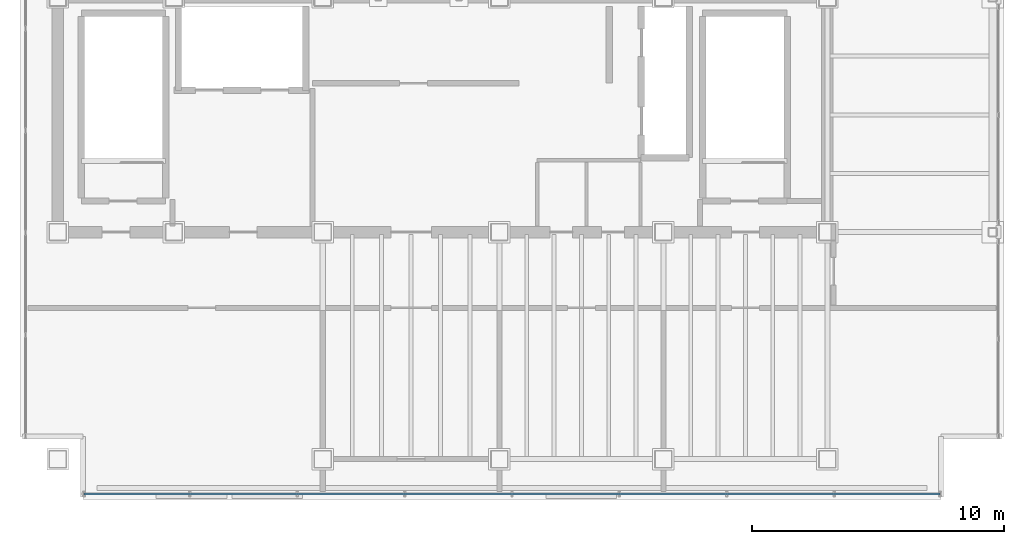
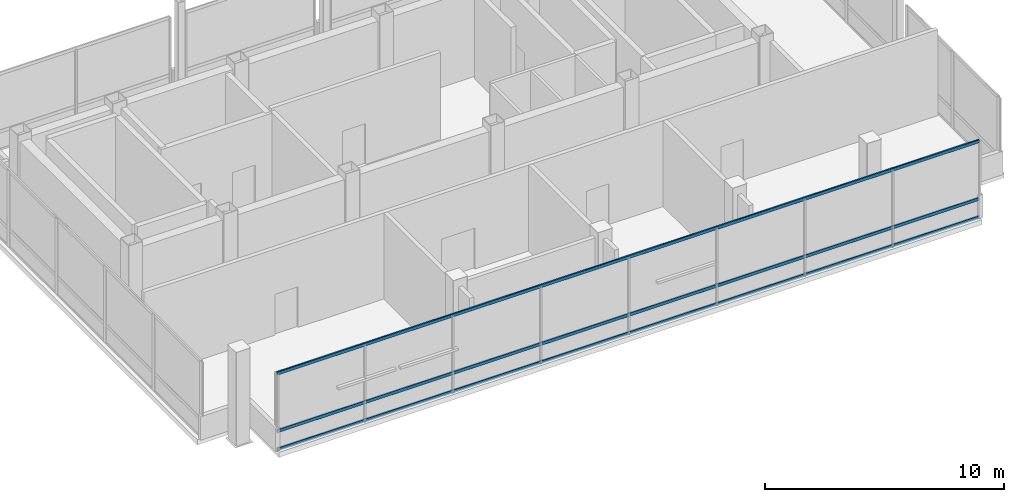
# One storey, part 9 of 20: 3 members, 1 element without a shape of its own.
"""IFC4 building model written with IfcOpenShell, lengths in metres."""

from ifc_helpers import new_model, si_unit, direction, frame, origin, origin_2d, place, context, subcontext, project, spatial, hollow_rectangle, extrude, material, material_profile, profile_set, type_object, element, aggregate, save


model = new_model("IFC4")

# Units and contexts
model_context = context("Model", 3, precision=1e-05, world=origin(), true_north=direction((0.0, 1.0)))
body_context = subcontext(model_context, "Body", "Model", "MODEL_VIEW")
ifc_project = project(units=[si_unit("LENGTHUNIT", "METRE"), si_unit("AREAUNIT", "SQUARE_METRE"), si_unit("VOLUMEUNIT", "CUBIC_METRE"), si_unit("PLANEANGLEUNIT", "RADIAN"), si_unit("MASSUNIT", "GRAM", prefix="KILO")], contexts=[model_context])

# Site, building, storey
site_placement = place(None, origin())
site = spatial("IfcSite", under=ifc_project, at=site_placement, CompositionType="ELEMENT")
building_placement = place(site_placement, origin())
building = spatial("IfcBuilding", under=site, at=building_placement, Name="Noeulbin Bourse Tower", CompositionType="ELEMENT")
storey_placement = place(building_placement, frame((0.0, 0.0, 312.60009765625)))
storey = spatial("IfcBuildingStorey", under=building, at=storey_placement, Name="L77", CompositionType="ELEMENT", Elevation=312.60009765625)

# Curtain wall, members
ifc_material_1 = material(Name="High-Selectivity Low-Iron Glazing", Category="glass")
curtain_wall_type = type_object("IfcCurtainWallType", Name="CW-SYS-4", PredefinedType="NOTDEFINED", material=ifc_material_1)
curtain_wall_placement = place(storey_placement, origin())
curtain_wall = element("IfcCurtainWall", 1, at=curtain_wall_placement, inside=storey, type_object=curtain_wall_type, Name="Unitised Curtain Wall CW-L77-S1", PredefinedType="NOTDEFINED")
ifc_material_2 = material(Name="Anodised Aluminium 6063-T6", Category="aluminium")
ifc_material_profile = material_profile(ifc_material_2, hollow_rectangle(XDim=0.074951171875, YDim=0.159912109375, WallThickness=0.0048828125, InnerFilletRadius=0.00244140625, OuterFilletRadius=0.0048828125, at=origin_2d()), Name="ALU-TRAN-75x160x5", Category="LoadBearing")
ifc_profile_set = profile_set([ifc_material_profile], Name="Anodised Aluminium 6063-T6")
member_type = type_object("IfcMemberType", Name="CW-SYS-4-TRN", PredefinedType="USERDEFINED", material=ifc_profile_set)
member_1_placement = place(storey_placement, frame((14.530029296875, 18.6201171875, 0.010009765625), z_axis=(1.0, 0.0, 0.0), x_axis=(0.0, 1.0, 0.0)))
member_1 = element("IfcMember", 2, at=member_1_placement, type_object=member_type, Name="Curtain Wall Transom CW-L77-S1-T00", ObjectType="TRANSOM", PredefinedType="USERDEFINED", context=body_context, shape_type="SweptSolid", body=[
    extrude(hollow_rectangle(XDim=0.074951171875, YDim=0.159912109375, WallThickness=0.0048828125, InnerFilletRadius=0.00244140625, OuterFilletRadius=0.0048828125, at=origin_2d()), origin(), (0.0, 0.0, 1.0), 33.93994140625),
])
member_2_placement = place(storey_placement, frame((14.530029296875, 18.6201171875, 0.949951171875), z_axis=(1.0, 0.0, 0.0), x_axis=(0.0, 1.0, 0.0)))
member_2 = element("IfcMember", 3, at=member_2_placement, type_object=member_type, Name="Curtain Wall Transom CW-L77-S1-T01", ObjectType="TRANSOM", PredefinedType="USERDEFINED", context=body_context, shape_type="SweptSolid", body=[
    extrude(hollow_rectangle(XDim=0.074951171875, YDim=0.159912109375, WallThickness=0.0048828125, InnerFilletRadius=0.00244140625, OuterFilletRadius=0.0048828125, at=origin_2d()), origin(), (0.0, 0.0, 1.0), 33.93994140625),
])
member_3_placement = place(storey_placement, frame((14.530029296875, 18.6201171875, 3.89990234375), z_axis=(1.0, 0.0, 0.0), x_axis=(0.0, 1.0, 0.0)))
member_3 = element("IfcMember", 4, at=member_3_placement, type_object=member_type, Name="Curtain Wall Transom CW-L77-S1-T02", ObjectType="TRANSOM", PredefinedType="USERDEFINED", context=body_context, shape_type="SweptSolid", body=[
    extrude(hollow_rectangle(XDim=0.074951171875, YDim=0.159912109375, WallThickness=0.0048828125, InnerFilletRadius=0.00244140625, OuterFilletRadius=0.0048828125, at=origin_2d()), origin(), (0.0, 0.0, 1.0), 33.93994140625),
])
aggregate(curtain_wall, [member_1, member_2, member_3])

save(model, "model.ifc")
